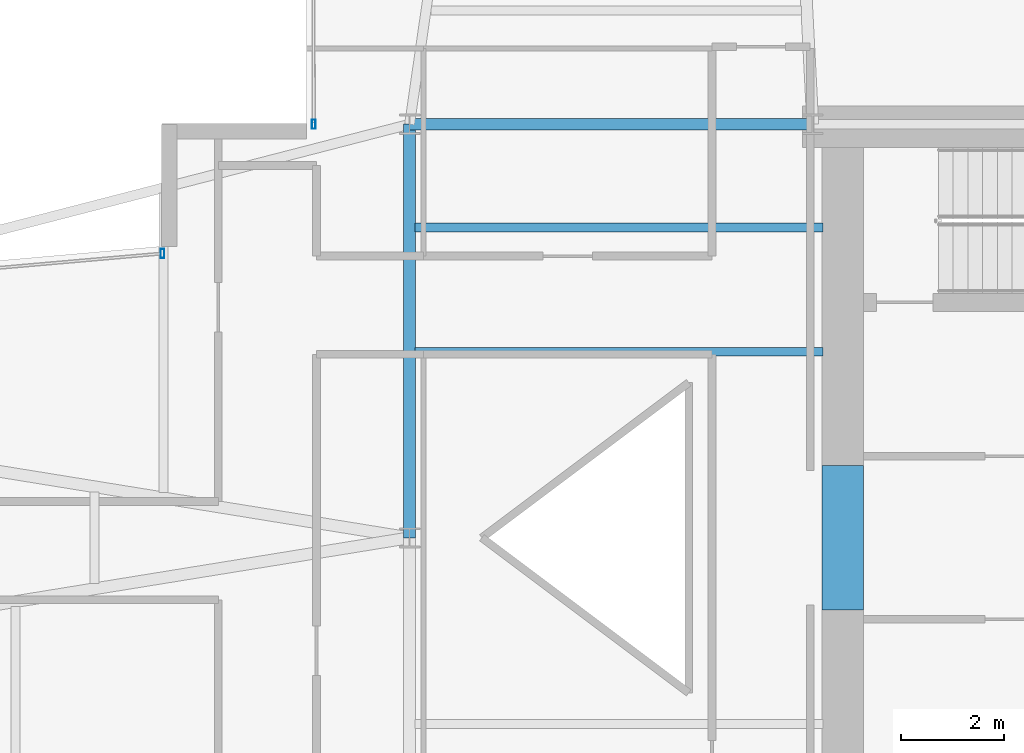
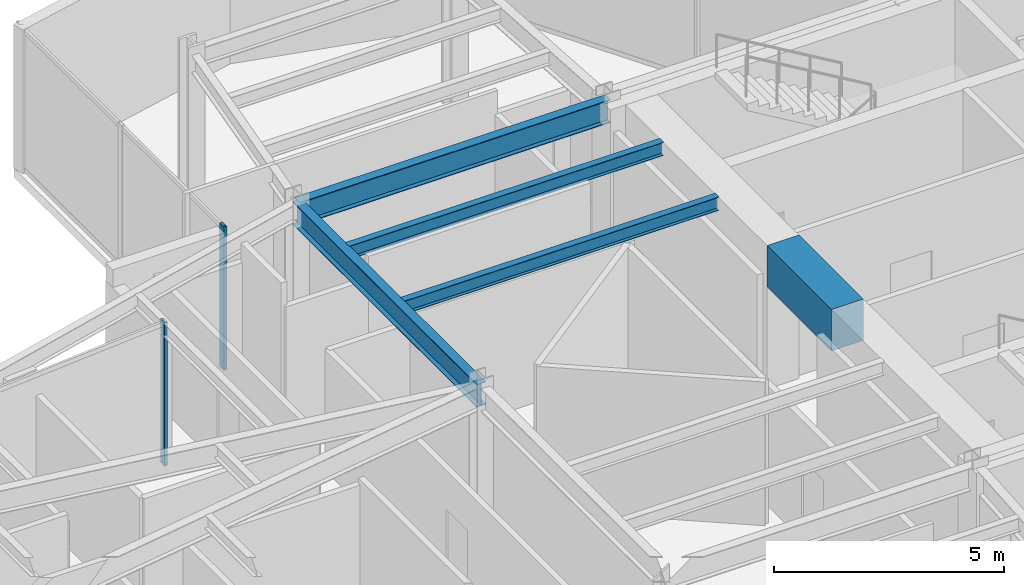
# One storey, part 10 of 25: 5 beams, 2 members, 2 elements without a shape of their own.
"""IFC4 building model written with IfcOpenShell, lengths in metres."""

from ifc_helpers import new_model, si_unit, direction, frame, origin, origin_2d, place, context, subcontext, project, spatial, rectangle, hollow_rectangle, i_section, extrude, material, layer, layer_set, material_profile, profile_set, type_object, element, aggregate, save


model = new_model("IFC4")

# Units and contexts
model_context = context("Model", 3, precision=1e-05, world=origin(), true_north=direction((0.0, 1.0)))
body_context = subcontext(model_context, "Body", "Model", "MODEL_VIEW")
ifc_project = project(units=[si_unit("LENGTHUNIT", "METRE"), si_unit("AREAUNIT", "SQUARE_METRE"), si_unit("VOLUMEUNIT", "CUBIC_METRE"), si_unit("PLANEANGLEUNIT", "RADIAN"), si_unit("MASSUNIT", "GRAM", prefix="KILO")], contexts=[model_context])

# Site, building, storey
site_placement = place(None, origin())
site = spatial("IfcSite", under=ifc_project, at=site_placement, CompositionType="ELEMENT")
building_placement = place(site_placement, origin())
building = spatial("IfcBuilding", under=site, at=building_placement, Name="Veymaron Broadcast Tower", CompositionType="ELEMENT")
storey_placement = place(building_placement, frame((0.0, 0.0, 169.5)))
storey = spatial("IfcBuildingStorey", under=building, at=storey_placement, Name="L39", CompositionType="ELEMENT", Elevation=169.5)

# Beams
ifc_material_1 = material(Name="Concrete C70/85", Category="concrete")
ifc_material_profile_1 = material_profile(ifc_material_1, rectangle(XDim=0.800048828125, YDim=1.10009765625, at=origin_2d()), Name="RC800X1100")
ifc_profile_set_1 = profile_set([ifc_material_profile_1], Name="Concrete C70/85")
beam_type_1 = type_object("IfcBeamType", Name="BM-CB1", PredefinedType="LINTEL", material=ifc_profile_set_1)
beam_1_placement = place(storey_placement, frame((39.580078125, 22.60009765625, 3.260009765625), z_axis=(0.0, 1.0, 0.0), x_axis=(-1.0, 0.0, 0.0)))
element("IfcBeam", 1, at=beam_1_placement, inside=storey, type_object=beam_type_1, Name="L39 Core Wall west coupling beam", PredefinedType="LINTEL", context=body_context, shape_type="SweptSolid", body=[
    extrude(rectangle(XDim=0.800048828125, YDim=1.10009765625, at=origin_2d()), origin(), (0.0, 0.0, 1.0), 2.7998046875),
])
ifc_material_2 = material(Name="Structural steel ASTM A992 Gr 50", Category="steel")
ifc_material_profile_2 = material_profile(ifc_material_2, i_section(OverallWidth=0.22802734375, OverallDepth=0.60791015625, WebThickness=0.01123046875, FlangeThickness=0.017333984375, at=origin_2d()), Name="W610X113")
ifc_profile_set_2 = profile_set([ifc_material_profile_2], Name="Structural steel ASTM A992 Gr 50")
beam_type_2 = type_object("IfcBeamType", Name="BM-FG2", PredefinedType="BEAM", material=ifc_profile_set_2)
beam_2_placement = place(storey_placement, frame((31.199951171875, 24.0, 3.506103515625), z_axis=(0.0, 1.0, 0.0), x_axis=(-1.0, 0.0, 0.0)))
element("IfcBeam", 2, at=beam_2_placement, inside=storey, type_object=beam_type_2, Name="L39 primary structural floor girder", PredefinedType="BEAM", context=body_context, shape_type="SweptSolid", body=[
    extrude(i_section(OverallWidth=0.22802734375, OverallDepth=0.60791015625, WebThickness=0.01123046875, FlangeThickness=0.017333984375, at=origin_2d()), origin(), (0.0, 0.0, 1.0), 8.0),
])
beam_3_placement = place(storey_placement, frame((31.199951171875, 32.0, 3.506103515625), z_axis=(1.0, 0.0, 0.0), x_axis=(0.0, 1.0, 0.0)))
element("IfcBeam", 3, at=beam_3_placement, inside=storey, type_object=beam_type_2, Name="L39 primary structural floor girder", PredefinedType="BEAM", context=body_context, shape_type="SweptSolid", body=[
    extrude(i_section(OverallWidth=0.22802734375, OverallDepth=0.60791015625, WebThickness=0.01123046875, FlangeThickness=0.017333984375, at=origin_2d()), origin(), (0.0, 0.0, 1.0), 7.800048828125),
])
ifc_material_profile_3 = material_profile(ifc_material_2, i_section(OverallWidth=0.1708984375, OverallDepth=0.35498046875, WebThickness=0.007080078125, FlangeThickness=0.01171875, at=origin_2d()), Name="W360X51")
ifc_profile_set_3 = profile_set([ifc_material_profile_3], Name="Structural steel ASTM A992 Gr 50")
beam_type_3 = type_object("IfcBeamType", Name="BM-JS2", PredefinedType="JOIST", material=ifc_profile_set_3)
for number, where, z_axis, x_axis, name in (
    (4, (31.300048828125, 27.60009765625, 3.632568359375), (1.0, 0.0, 0.0), (0.0, 1.0, 0.0), "L39 Hub secondary joist 3"),
    (5, (31.300048828125, 30.0, 3.632568359375), (1.0, 0.0, 0.0), (0.0, 1.0, 0.0), "L39 Hub secondary joist 4"),
):
    element("IfcBeam", number, at=place(storey_placement, frame(where, z_axis=z_axis, x_axis=x_axis)), inside=storey, type_object=beam_type_3, Name=name, PredefinedType="JOIST", context=body_context, shape_type="SweptSolid", body=[
        extrude(i_section(OverallWidth=0.1708984375, OverallDepth=0.35498046875, WebThickness=0.007080078125, FlangeThickness=0.01171875, at=origin_2d()), origin(), (0.0, 0.0, 1.0), 7.89990234375),
    ])

# Curtain wall, member
ifc_material_3 = material(Name="Anodised aluminium AA 6063-T6 and laminated low-E dark glass", Category="aluminium")
ifc_layer = layer(ifc_material_3, 0.179931640625)
ifc_layer_set = layer_set([ifc_layer], Name="Anodised aluminium AA 6063-T6 and laminated low-E dark glass")
curtain_wall_type = type_object("IfcCurtainWallType", Name="CW-SYS-03", PredefinedType="NOTDEFINED", material=ifc_layer_set)
curtain_wall_1_placement = place(storey_placement, origin())
curtain_wall_1 = element("IfcCurtainWall", 6, at=curtain_wall_1_placement, inside=storey, type_object=curtain_wall_type, Name="L39 dark-glass curtain wall CW-L39-E8-1", PredefinedType="NOTDEFINED")
ifc_material_4 = material(Name="Anodised aluminium AA 6063-T6", Category="aluminium")
ifc_material_profile_4 = material_profile(ifc_material_4, hollow_rectangle(XDim=0.074951171875, YDim=0.179931640625, WallThickness=0.0048828125, at=origin_2d()), Name="AL180X75X5")
ifc_profile_set_4 = profile_set([ifc_material_profile_4], Name="Anodised aluminium AA 6063-T6")
member_type = type_object("IfcMemberType", Name="CW-MUL-02", PredefinedType="MULLION", material=ifc_profile_set_4)
member_1_placement = place(storey_placement, frame((29.3466796875, 32.000244140625, 0.0), z_axis=(0.0, 0.0, 1.0), x_axis=(1.0, 0.0, 0.0)))
member_1 = element("IfcMember", 7, at=member_1_placement, type_object=member_type, Name="CW-L39-E8-1 mullion 2", PredefinedType="MULLION", context=body_context, shape_type="SweptSolid", body=[
    extrude(hollow_rectangle(XDim=0.074951171875, YDim=0.179931640625, WallThickness=0.0048828125, at=origin_2d()), origin(), (0.0, 0.0, 1.0), 3.81005859375),
])
aggregate(curtain_wall_1, [member_1])

curtain_wall_2_placement = place(storey_placement, origin())
curtain_wall_2 = element("IfcCurtainWall", 8, at=curtain_wall_2_placement, inside=storey, type_object=curtain_wall_type, Name="L39 dark-glass curtain wall CW-L39-E11-1", PredefinedType="NOTDEFINED")
member_2_placement = place(storey_placement, frame((26.420166015625, 29.49951171875, 0.0), z_axis=(0.0, 0.0, 1.0), x_axis=(1.0, 0.0, 0.0)))
member_2 = element("IfcMember", 9, at=member_2_placement, type_object=member_type, Name="CW-L39-E11-1 mullion 0", PredefinedType="MULLION", context=body_context, shape_type="SweptSolid", body=[
    extrude(hollow_rectangle(XDim=0.074951171875, YDim=0.179931640625, WallThickness=0.0048828125, at=origin_2d()), origin(), (0.0, 0.0, 1.0), 3.81005859375),
])
aggregate(curtain_wall_2, [member_2])

save(model, "model.ifc")
